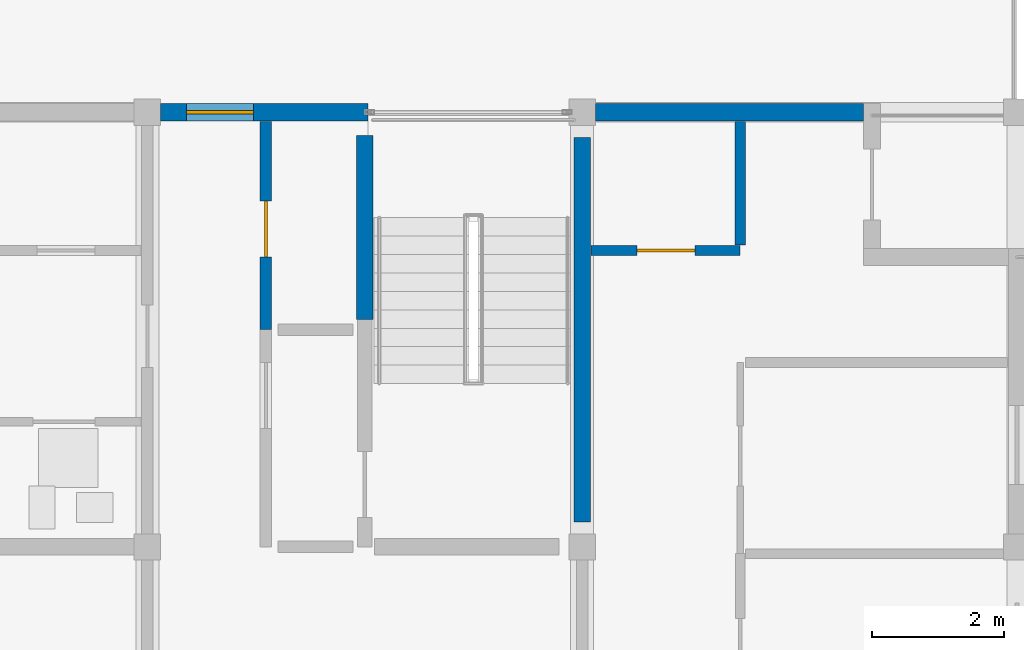
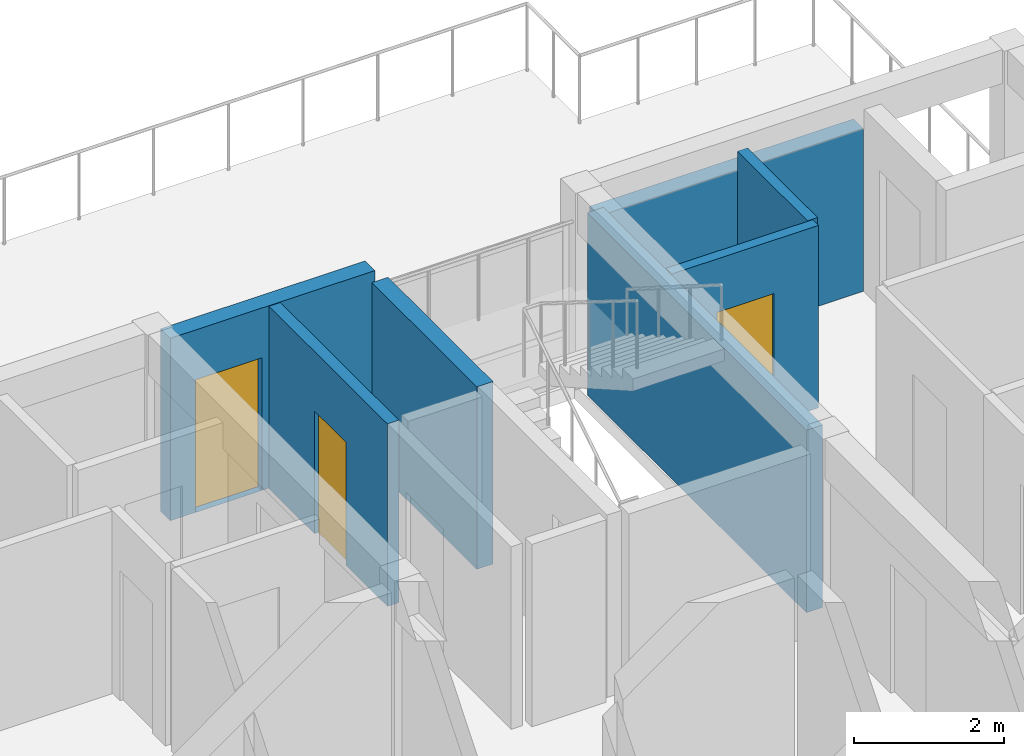
# One storey, part 19 of 37: 7 walls, 3 doors, 3 openings.
"""IFC4 building model written with IfcOpenShell, lengths in metres."""

from ifc_helpers import new_model, si_unit, direction, frame, frame_2d, origin, place, context, subcontext, project, spatial, rectangle, extrude, material, layer, layer_set, type_object, element, fill, save


model = new_model("IFC4")

# Units and contexts
model_context = context("Model", 3, precision=1e-05, world=origin(), true_north=direction((0.0, 1.0)))
body_context = subcontext(model_context, "Body", "Model", "MODEL_VIEW")
ifc_project = project(units=[si_unit("LENGTHUNIT", "METRE"), si_unit("AREAUNIT", "SQUARE_METRE"), si_unit("VOLUMEUNIT", "CUBIC_METRE"), si_unit("PLANEANGLEUNIT", "RADIAN"), si_unit("MASSUNIT", "GRAM", prefix="KILO")], contexts=[model_context])

# Site, building, storey
site_placement = place(None, origin())
site = spatial("IfcSite", under=ifc_project, at=site_placement, CompositionType="ELEMENT")
building_placement = place(site_placement, origin())
building = spatial("IfcBuilding", under=site, at=building_placement, Name="Kernevlak Ridge Housing Community", CompositionType="ELEMENT")
storey_placement = place(building_placement, frame((0.0, 0.0, 37.199951171875)))
storey = spatial("IfcBuildingStorey", under=building, at=storey_placement, Name="L11", CompositionType="ELEMENT", Elevation=37.199951171875)

# Wall, opening, door
ifc_material_1 = material(Name="Concrete block masonry M10", Category="masonry")
ifc_layer_1 = layer(ifc_material_1, 0.260009765625, Name="Concrete block masonry M10")
ifc_layer_set_1 = layer_set([ifc_layer_1], Name="Concrete block masonry M10")
wall_type_1 = type_object("IfcWallType", Name="EW-05", PredefinedType="STANDARD", material=ifc_layer_set_1)
wall_1_placement = place(storey_placement, frame((132.800048828125, 35.39990234375, 0.0), z_axis=(0.0, 0.0, 1.0), x_axis=(1.0, 0.0, 0.0)))
wall_1 = element("IfcWall", 1, at=wall_1_placement, inside=storey, type_object=wall_type_1, Name="Exterior wall EW-05 L11 695", PredefinedType="STANDARD", context=body_context, shape_type="SweptSolid", body=[
    extrude(rectangle(XDim=3.14990234375, YDim=0.260009765625, at=frame_2d((1.574951171875, 0.0))), origin(), (0.0, 0.0, 1.0), 2.969970703125),
])
opening_1_placement = place(wall_1_placement, frame((0.389892578125, 0.0, 0.0)))
opening_1 = element("IfcOpeningElement", 2, at=opening_1_placement, cuts=wall_1, Name="Opening E422", PredefinedType="OPENING", context=body_context, shape_type="SweptSolid", body=[
    extrude(rectangle(XDim=1.02001953125, YDim=2.159912109375, at=frame_2d((0.510009765625, 1.080078125))), frame((0.0, 0.139892578125, 0.0), z_axis=(0.0, -1.0, 0.0), x_axis=(1.0, 0.0, 0.0)), (0.0, 0.0, 1.0), 0.280029296875),
])
ifc_material_2 = material(Name="Aluminium EN AW-6060 and laminated safety glass", Category="aluminium")
door_type_1 = type_object("IfcDoorType", Name="DT-33", OperationType="NOTDEFINED", PredefinedType="DOOR", material=ifc_material_2)
door_1_placement = place(opening_1_placement, origin())
door_1 = element("IfcDoor", 3, at=door_1_placement, inside=storey, type_object=door_type_1, Name="Block C L11 setback terrace glazed door E422", OperationType="SINGLE_SWING_LEFT", OverallHeight=2.159912109375, OverallWidth=1.02001953125, PredefinedType="DOOR", context=body_context, shape_type="SweptSolid", body=[
    extrude(rectangle(XDim=1.02001953125, YDim=2.159912109375, at=frame_2d((0.510009765625, 1.080078125))), frame((0.0, 0.02490234375, 0.0), z_axis=(0.0, -1.0, 0.0), x_axis=(1.0, 0.0, 0.0)), (0.0, 0.0, 1.0), 0.050048828125),
])
fill(opening_1, door_1)

# Wall
wall_2_placement = place(storey_placement, frame((139.39990234375, 35.39990234375, 0.0), z_axis=(0.0, 0.0, 1.0), x_axis=(1.0, 0.0, 0.0)))
element("IfcWall", 4, at=wall_2_placement, inside=storey, type_object=wall_type_1, Name="Exterior wall EW-05 L11 696", PredefinedType="STANDARD", context=body_context, shape_type="SweptSolid", body=[
    extrude(rectangle(XDim=4.070068359375, YDim=0.260009765625, at=frame_2d((2.03515625, 0.0))), origin(), (0.0, 0.0, 1.0), 2.650146484375),
])

# Wall, opening, door
ifc_layer_2 = layer(ifc_material_1, 0.175048828125, Name="Concrete block masonry M10")
ifc_layer_set_2 = layer_set([ifc_layer_2], Name="Concrete block masonry M10")
wall_type_2 = type_object("IfcWallType", Name="PW-02", PredefinedType="PARTITIONING", material=ifc_layer_set_2)
wall_3_placement = place(storey_placement, frame((134.39990234375, 32.10009765625, 0.0), z_axis=(0.0, 0.0, 1.0), x_axis=(0.0, 1.0, 0.0)))
wall_3 = element("IfcWall", 5, at=wall_3_placement, inside=storey, type_object=wall_type_2, Name="Interior wall PW-02 WAL-INT-L11-2802", PredefinedType="PARTITIONING", context=body_context, shape_type="SweptSolid", body=[
    extrude(rectangle(XDim=3.159912109375, YDim=0.175048828125, at=frame_2d((1.580078125, 0.0))), origin(), (0.0, 0.0, 1.0), 2.969970703125),
])
opening_2_placement = place(wall_3_placement, frame((1.10009765625, 0.0, 0.0)))
opening_2 = element("IfcOpeningElement", 6, at=opening_2_placement, cuts=wall_3, Name="Opening E421", PredefinedType="OPENING", context=body_context, shape_type="SweptSolid", body=[
    extrude(rectangle(XDim=0.85009765625, YDim=2.0, at=frame_2d((0.425048828125, 1.0))), frame((0.0, 0.097412109375, 0.0), z_axis=(0.0, -1.0, 0.0), x_axis=(1.0, 0.0, 0.0)), (0.0, 0.0, 1.0), 0.195068359375),
])
ifc_material_3 = material(Name="Fire-rated sheet steel leaf", Category="steel")
door_type_2 = type_object("IfcDoorType", Name="DT-07", OperationType="NOTDEFINED", PredefinedType="DOOR", material=ifc_material_3)
door_2_placement = place(opening_2_placement, origin())
door_2 = element("IfcDoor", 7, at=door_2_placement, inside=storey, type_object=door_type_2, Name="Block C Cleaner store door E421", OperationType="SINGLE_SWING_RIGHT", OverallHeight=2.0, OverallWidth=0.85009765625, PredefinedType="DOOR", context=body_context, shape_type="SweptSolid", body=[
    extrude(rectangle(XDim=0.85009765625, YDim=2.0, at=frame_2d((0.425048828125, 1.0))), frame((0.0, 0.02490234375, 0.0), z_axis=(0.0, -1.0, 0.0), x_axis=(1.0, 0.0, 0.0)), (0.0, 0.0, 1.0), 0.050048828125),
])
fill(opening_2, door_2)

ifc_material_4 = material(Name="Gypsum plasterboard EN 520", Category="gypsum")
ifc_layer_3 = layer(ifc_material_4, 0.155029296875, Name="Gypsum plasterboard EN 520")
ifc_layer_set_3 = layer_set([ifc_layer_3], Name="Gypsum plasterboard EN 520")
wall_type_3 = type_object("IfcWallType", Name="PW-05", PredefinedType="PARTITIONING", material=ifc_layer_set_3)
wall_4_placement = place(storey_placement, frame((139.3349609375, 33.300048828125, 0.0), z_axis=(0.0, 0.0, 1.0), x_axis=(1.0, 0.0, 0.0)))
wall_4 = element("IfcWall", 8, at=wall_4_placement, inside=storey, type_object=wall_type_3, Name="Interior wall PW-05 WAL-INT-L11-2835", PredefinedType="PARTITIONING", context=body_context, shape_type="SweptSolid", body=[
    extrude(rectangle(XDim=2.26513671875, YDim=0.155029296875, at=frame_2d((1.132568359375, 0.0))), origin(), (0.0, 0.0, 1.0), 2.969970703125),
])
opening_3_placement = place(wall_4_placement, frame((0.699951171875, 0.0, 0.0)))
opening_3 = element("IfcOpeningElement", 9, at=opening_3_placement, cuts=wall_4, Name="Opening E439", PredefinedType="OPENING", context=body_context, shape_type="SweptSolid", body=[
    extrude(rectangle(XDim=0.8798828125, YDim=2.10009765625, at=frame_2d((0.43994140625, 1.050048828125))), frame((0.0, 0.08740234375, 0.0), z_axis=(0.0, -1.0, 0.0), x_axis=(1.0, 0.0, 0.0)), (0.0, 0.0, 1.0), 0.175048828125),
])
ifc_material_5 = material(Name="Hardwood timber leaf", Category="wood")
door_type_3 = type_object("IfcDoorType", Name="DT-25", OperationType="NOTDEFINED", PredefinedType="DOOR", material=ifc_material_5)
door_3_placement = place(opening_3_placement, origin())
door_3 = element("IfcDoor", 10, at=door_3_placement, inside=storey, type_object=door_type_3, Name="Flat C1122 kitchen door E439", OperationType="SINGLE_SWING_RIGHT", OverallHeight=2.10009765625, OverallWidth=0.8798828125, PredefinedType="DOOR", context=body_context, shape_type="SweptSolid", body=[
    extrude(rectangle(XDim=0.8798828125, YDim=2.10009765625, at=frame_2d((0.43994140625, 1.050048828125))), frame((0.0, 0.02490234375, 0.0), z_axis=(0.0, -1.0, 0.0), x_axis=(1.0, 0.0, 0.0)), (0.0, 0.0, 1.0), 0.050048828125),
])
fill(opening_3, door_3)

# Walls
wall_5_placement = place(storey_placement, frame((141.60009765625, 33.387451171875, 0.0), z_axis=(0.0, 0.0, 1.0), x_axis=(0.0, 1.0, 0.0)))
element("IfcWall", 11, at=wall_5_placement, inside=storey, type_object=wall_type_3, Name="Interior wall PW-05 WAL-INT-L11-2836", PredefinedType="PARTITIONING", context=body_context, shape_type="SweptSolid", body=[
    extrude(rectangle(XDim=1.87255859375, YDim=0.155029296875, at=frame_2d((0.936279296875, 0.0))), origin(), (0.0, 0.0, 1.0), 2.969970703125),
])
ifc_material_6 = material(Name="Concrete C40/50", Category="concrete")
ifc_layer_4 = layer(ifc_material_6, 0.25, Name="Concrete C40/50")
ifc_layer_set_4 = layer_set([ifc_layer_4], Name="Concrete C40/50")
wall_type_4 = type_object("IfcWallType", Name="SW-03", PredefinedType="SHEAR", material=ifc_layer_set_4)
wall_6_placement = place(storey_placement, frame((139.199951171875, 29.179931640625, 0.0), z_axis=(0.0, 0.0, 1.0), x_axis=(0.0, 1.0, 0.0)))
element("IfcWall", 12, at=wall_6_placement, inside=storey, type_object=wall_type_4, Name="Shear wall SW-03 Block C L11 484", PredefinedType="SHEAR", context=body_context, shape_type="SweptSolid", body=[
    extrude(rectangle(XDim=5.840087890625, YDim=0.25, at=frame_2d((2.919921875, 0.0))), origin(), (0.0, 0.0, 1.0), 2.969970703125),
])
wall_7_placement = place(storey_placement, frame((135.89990234375, 32.25, 0.0), z_axis=(0.0, 0.0, 1.0), x_axis=(0.0, 1.0, 0.0)))
element("IfcWall", 13, at=wall_7_placement, inside=storey, type_object=wall_type_4, Name="Shear wall SW-03 Block C L11 485", PredefinedType="SHEAR", context=body_context, shape_type="SweptSolid", body=[
    extrude(rectangle(XDim=2.800048828125, YDim=0.25, at=frame_2d((1.39990234375, 0.0))), origin(), (0.0, 0.0, 1.0), 2.969970703125),
])

save(model, "model.ifc")
